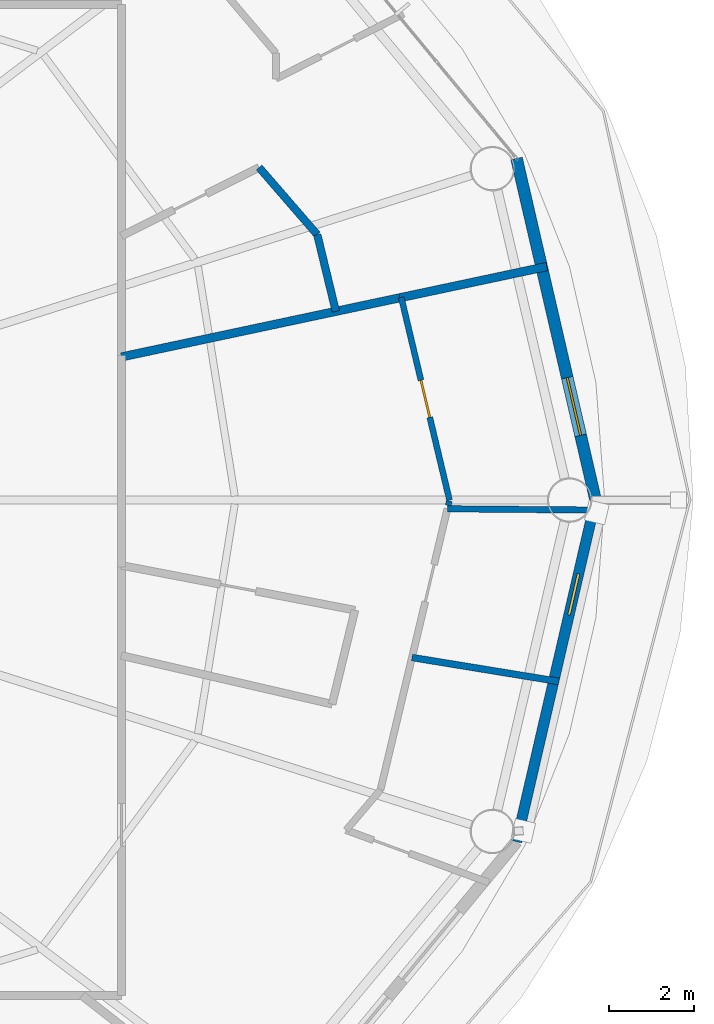
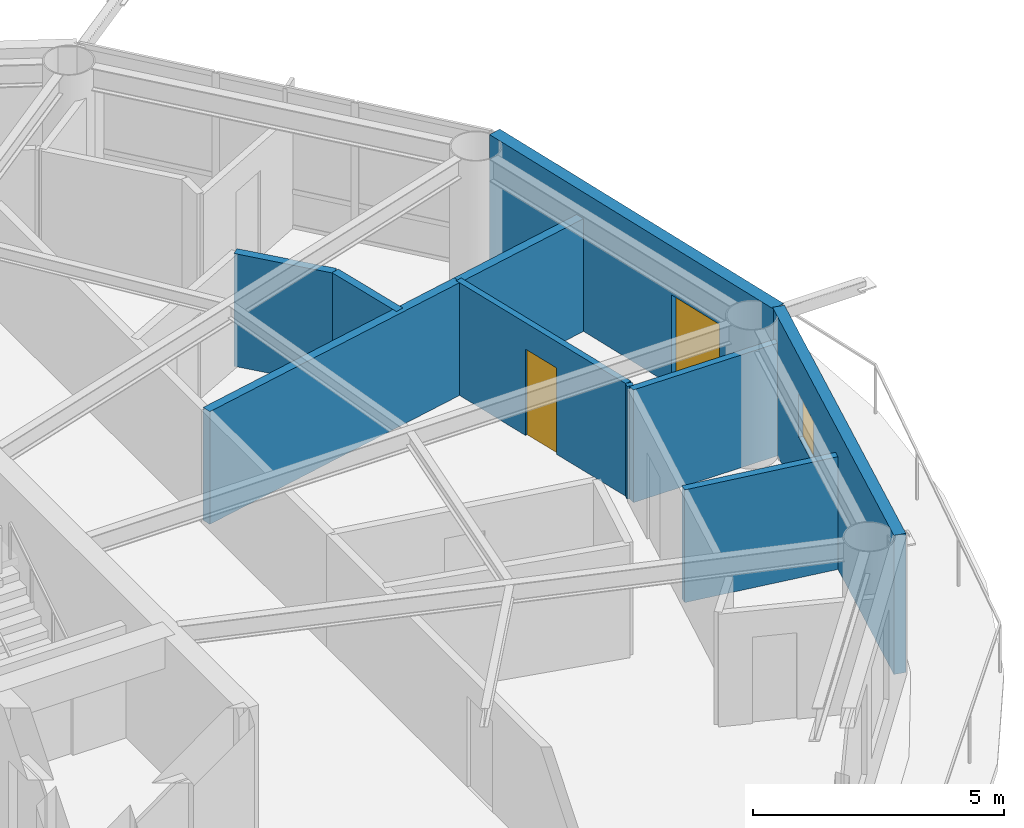
# One storey, part 23 of 29: 10 walls, 2 doors, 1 window, 3 openings.
"""IFC4 building model written with IfcOpenShell, lengths in metres."""

from ifc_helpers import new_model, si_unit, direction, frame, frame_2d, origin, place, context, subcontext, project, spatial, rectangle, extrude, material, layer, layer_set, type_object, element, fill, save


model = new_model("IFC4")

# Units and contexts
model_context = context("Model", 3, precision=1e-05, world=origin(), true_north=direction((0.0, 1.0)))
body_context = subcontext(model_context, "Body", "Model", "MODEL_VIEW")
ifc_project = project(units=[si_unit("LENGTHUNIT", "METRE"), si_unit("AREAUNIT", "SQUARE_METRE"), si_unit("VOLUMEUNIT", "CUBIC_METRE"), si_unit("PLANEANGLEUNIT", "RADIAN"), si_unit("MASSUNIT", "GRAM", prefix="KILO")], contexts=[model_context])

# Site, building, storey
site_placement = place(None, origin())
site = spatial("IfcSite", under=ifc_project, at=site_placement, CompositionType="ELEMENT")
building_placement = place(site_placement, origin())
building = spatial("IfcBuilding", under=site, at=building_placement, Name="Sarneth Arch Tower", CompositionType="ELEMENT")
storey_placement = place(building_placement, frame((0.0, 0.0, 165.0)))
storey = spatial("IfcBuildingStorey", under=building, at=storey_placement, Name="L41", CompositionType="ELEMENT", Elevation=165.0)

# Wall, opening, window
ifc_material_1 = material(Name="Extruded terracotta rainscreen on Concrete C40/50 backing", Category="masonry")
ifc_layer_1 = layer(ifc_material_1, 0.25)
ifc_layer_set_1 = layer_set([ifc_layer_1], Name="Extruded terracotta rainscreen on Concrete C40/50 backing")
wall_type_1 = type_object("IfcWallType", Name="WALL-EXT-SPAND-250", PredefinedType="SOLIDWALL", material=ifc_layer_set_1)
wall_1_placement = place(storey_placement, frame((73.232421875, 33.93310546875, 0.0), z_axis=(0.0, 0.0, 1.0), x_axis=(0.225473184558, 0.974249374157, 0.0)))
wall_1 = element("IfcWall", 1, at=wall_1_placement, inside=storey, type_object=wall_type_1, Name="L41 Terracotta perimeter wall 16", PredefinedType="SOLIDWALL", context=body_context, shape_type="SweptSolid", body=[
    extrude(rectangle(XDim=8.280029296875, YDim=0.25, at=frame_2d((4.14013671875, 0.0))), origin(), (0.0, 0.0, 1.0), 3.3798828125),
])
opening_1_placement = place(wall_1_placement, frame((5.4951171875, 0.0, 1.419921875)))
opening_1 = element("IfcOpeningElement", 2, at=opening_1_placement, cuts=wall_1, Name="Opening W-14", PredefinedType="OPENING", context=body_context, shape_type="SweptSolid", body=[
    extrude(rectangle(XDim=1.0, YDim=1.050048828125, at=frame_2d((0.5, 0.52490234375))), frame((0.0, 0.135009765625, 0.0), z_axis=(0.0, -1.0, 0.0), x_axis=(1.0, 0.0, 0.0)), (0.0, 0.0, 1.0), 0.27001953125),
])
ifc_material_2 = material(Name="Thermally broken Aluminium 6063-T6 and low-e laminated IGU", Category="aluminium")
window_type = type_object("IfcWindowType", Name="WIN-TWR-1000x1050", PartitioningType="SINGLE_PANEL", PredefinedType="WINDOW", material=ifc_material_2)
window_placement = place(opening_1_placement, origin())
window = element("IfcWindow", 3, at=window_placement, inside=storey, type_object=window_type, Name="L41 Dwelling bedroom window 06", OverallHeight=1.050048828125, OverallWidth=1.0, PartitioningType="SINGLE_PANEL", PredefinedType="WINDOW", context=body_context, shape_type="SweptSolid", body=[
    extrude(rectangle(XDim=1.0, YDim=1.050048828125, at=frame_2d((0.5, 0.52490234375))), frame((0.0, 0.030029296875, 0.0), z_axis=(0.0, -1.0, 0.0), x_axis=(1.0, 0.0, 0.0)), (0.0, 0.0, 1.0), 0.06005859375),
])
fill(opening_1, window)

# Wall, opening, door
ifc_material_3 = material(Name="Extruded terracotta rainscreen on Concrete C40/50 backing", Category="masonry")
ifc_layer_2 = layer(ifc_material_3, 0.280029296875)
ifc_layer_set_2 = layer_set([ifc_layer_2], Name="Extruded terracotta rainscreen on Concrete C40/50 backing")
wall_type_2 = type_object("IfcWallType", Name="WALL-EXT-TERRA-280", PredefinedType="SOLIDWALL", material=ifc_layer_set_2)
wall_2_placement = place(storey_placement, frame((75.099365234375, 42.0, 0.0), z_axis=(0.0, 0.0, 1.0), x_axis=(-0.225473184558, 0.974249374157, 0.0)))
wall_2 = element("IfcWall", 4, at=wall_2_placement, inside=storey, type_object=wall_type_2, Name="L41 Terracotta perimeter wall 01", PredefinedType="SOLIDWALL", context=body_context, shape_type="SweptSolid", body=[
    extrude(rectangle(XDim=8.280029296875, YDim=0.280029296875, at=frame_2d((4.14013671875, 0.0))), origin(), (0.0, 0.0, 1.0), 3.3798828125),
])
opening_2_placement = place(wall_2_placement, frame((1.568115234375, 0.0, 0.0)))
opening_2 = element("IfcOpeningElement", 5, at=opening_2_placement, cuts=wall_2, Name="Opening BD-2", PredefinedType="OPENING", context=body_context, shape_type="SweptSolid", body=[
    extrude(rectangle(XDim=1.39990234375, YDim=2.199951171875, at=frame_2d((0.699951171875, 1.10009765625))), frame((0.0, 0.14990234375, 0.0), z_axis=(0.0, -1.0, 0.0), x_axis=(1.0, 0.0, 0.0)), (0.0, 0.0, 1.0), 0.300048828125),
])
ifc_material_4 = material(Name="Thermally broken Aluminium 6063-T6 and laminated safety glass", Category="aluminium")
door_type_1 = type_object("IfcDoorType", Name="DR-BALC-GLZ-1400", OperationType="SINGLE_SWING_LEFT", PredefinedType="DOOR", material=ifc_material_4)
door_1_placement = place(opening_2_placement, origin())
door_1 = element("IfcDoor", 6, at=door_1_placement, inside=storey, type_object=door_type_1, Name="L41 Balcony glazed door 01", OperationType="SINGLE_SWING_LEFT", OverallHeight=2.199951171875, OverallWidth=1.39990234375, PredefinedType="DOOR", context=body_context, shape_type="SweptSolid", body=[
    extrude(rectangle(XDim=1.39990234375, YDim=2.199951171875, at=frame_2d((0.699951171875, 1.10009765625))), frame((0.0, 0.02490234375, 0.0), z_axis=(0.0, -1.0, 0.0), x_axis=(1.0, 0.0, 0.0)), (0.0, 0.0, 1.0), 0.050048828125),
])
fill(opening_2, door_1)

ifc_material_5 = material(Name="Apartment internal stud partition", Category="gypsum")
ifc_layer_3 = layer(ifc_material_5, 0.139892578125)
ifc_layer_set_3 = layer_set([ifc_layer_3], Name="Apartment internal stud partition")
wall_type_3 = type_object("IfcWallType", Name="WALL-PART-140", PredefinedType="PARTITIONING", material=ifc_layer_set_3)
wall_3_placement = place(storey_placement, frame((71.648681640625, 42.0, 0.0), z_axis=(0.0, 0.0, 1.0), x_axis=(-0.231622764326, 0.972805682059, 0.0)))
wall_3 = element("IfcWall", 7, at=wall_3_placement, inside=storey, type_object=wall_type_3, Name="L41 Interior partition W-L41-TP-117", PredefinedType="PARTITIONING", context=body_context, shape_type="SweptSolid", body=[
    extrude(rectangle(XDim=4.918212890625, YDim=0.139892578125, at=frame_2d((2.458984375, 0.0))), origin(), (0.0, 0.0, 1.0), 2.739990234375),
])
opening_3_placement = place(wall_3_placement, frame((2.009033203125, 0.0, 0.0)))
opening_3 = element("IfcOpeningElement", 8, at=opening_3_placement, cuts=wall_3, Name="Opening ID-01", PredefinedType="OPENING", context=body_context, shape_type="SweptSolid", body=[
    extrude(rectangle(XDim=0.89990234375, YDim=2.10009765625, at=frame_2d((0.449951171875, 1.050048828125))), frame((0.0, 0.079833984375, 0.0), z_axis=(0.0, -1.0, 0.0), x_axis=(1.0, 0.0, 0.0)), (0.0, 0.0, 1.0), 0.159912109375),
])
ifc_material_6 = material(Name="Engineered hardwood flush door", Category="wood")
door_type_2 = type_object("IfcDoorType", Name="DR-INT-900", OperationType="SINGLE_SWING_LEFT", PredefinedType="DOOR", material=ifc_material_6)
door_2_placement = place(opening_3_placement, origin())
door_2 = element("IfcDoor", 9, at=door_2_placement, inside=storey, type_object=door_type_2, Name="L41 Interior door DR-L41-U8-BED2", OperationType="SINGLE_SWING_RIGHT", OverallHeight=2.10009765625, OverallWidth=0.89990234375, PredefinedType="DOOR", context=body_context, shape_type="SweptSolid", body=[
    extrude(rectangle(XDim=0.89990234375, YDim=2.10009765625, at=frame_2d((0.449951171875, 1.050048828125))), frame((0.0, 0.02490234375, 0.0), z_axis=(0.0, -1.0, 0.0), x_axis=(1.0, 0.0, 0.0)), (0.0, 0.0, 1.0), 0.050048828125),
])
fill(opening_3, door_2)

# Walls
wall_4_placement = place(storey_placement, frame((71.6181640625, 41.871826171875, 0.0), z_axis=(0.0, 0.0, 1.0), x_axis=(0.233786115402, 0.972288050037, 0.0)))
element("IfcWall", 10, at=wall_4_placement, inside=storey, type_object=wall_type_3, Name="L41 Interior partition W-L41-TP-116", PredefinedType="PARTITIONING", context=body_context, shape_type="SweptSolid", body=[
    extrude(rectangle(XDim=0.11181640625, YDim=0.139892578125, at=frame_2d((0.055908203125, 0.0))), origin(), (0.0, 0.0, 1.0), 2.739990234375),
])
ifc_material_7 = material(Name="Acoustic gypsum stud partition", Category="gypsum")
ifc_layer_4 = layer(ifc_material_7, 0.14990234375)
ifc_layer_set_4 = layer_set([ifc_layer_4], Name="Acoustic gypsum stud partition")
wall_type_4 = type_object("IfcWallType", Name="WALL-PART-150", PredefinedType="PARTITIONING", material=ifc_layer_set_4)
wall_5_placement = place(storey_placement, frame((75.164794921875, 41.762939453125, 0.0), z_axis=(0.0, 0.0, 1.0), x_axis=(-0.999962184605, 0.00869651424, 0.0)))
element("IfcWall", 11, at=wall_5_placement, inside=storey, type_object=wall_type_4, Name="L41 Interior partition W-L41-TP-119", PredefinedType="PARTITIONING", context=body_context, shape_type="SweptSolid", body=[
    extrude(rectangle(XDim=3.5654296875, YDim=0.14990234375, at=frame_2d((1.78271484375, 0.0))), origin(), (0.0, 0.0, 1.0), 2.739990234375),
])
ifc_material_8 = material(Name="Kitchen wet service chase wall", Category="gypsum")
ifc_layer_5 = layer(ifc_material_8, 0.159912109375)
ifc_layer_set_5 = layer_set([ifc_layer_5], Name="Kitchen wet service chase wall")
wall_type_5 = type_object("IfcWallType", Name="WALL-PLUMB-160", PredefinedType="PLUMBINGWALL", material=ifc_layer_set_5)
wall_6_placement = place(storey_placement, frame((74.230712890625, 37.715576171875, 0.0), z_axis=(0.0, 0.0, 1.0), x_axis=(-0.986918442879, 0.161220306117, 0.0)))
element("IfcWall", 12, at=wall_6_placement, inside=storey, type_object=wall_type_5, Name="L41 Interior partition W-L41-TP-118", PredefinedType="PLUMBINGWALL", context=body_context, shape_type="SweptSolid", body=[
    extrude(rectangle(XDim=3.51318359375, YDim=0.159912109375, at=frame_2d((1.756591796875, 0.0))), origin(), (0.0, 0.0, 1.0), 2.739990234375),
])
ifc_material_9 = material(Name="Moisture-resistant plumbing chase wall", Category="gypsum")
ifc_layer_6 = layer(ifc_material_9, 0.179931640625)
ifc_layer_set_6 = layer_set([ifc_layer_6], Name="Moisture-resistant plumbing chase wall")
wall_type_6 = type_object("IfcWallType", Name="WALL-PLUMB-180", PredefinedType="PLUMBINGWALL", material=ifc_layer_set_6)
wall_7_placement = place(storey_placement, frame((68.526123046875, 48.268310546875, 0.0), z_axis=(0.0, 0.0, 1.0), x_axis=(-0.654594060889, 0.755980565524, 0.0)))
element("IfcWall", 13, at=wall_7_placement, inside=storey, type_object=wall_type_6, Name="L41 Interior partition W-L41-TP-027", PredefinedType="PLUMBINGWALL", context=body_context, shape_type="SweptSolid", body=[
    extrude(rectangle(XDim=2.099853515625, YDim=0.179931640625, at=frame_2d((1.0498046875, 0.0))), origin(), (0.0, 0.0, 1.0), 2.739990234375),
])
wall_8_placement = place(storey_placement, frame((68.965087890625, 46.456298828125, 0.0), z_axis=(0.0, 0.0, 1.0), x_axis=(-0.235442613623, 0.971888252676, 0.0)))
element("IfcWall", 14, at=wall_8_placement, inside=storey, type_object=wall_type_6, Name="L41 Interior partition W-L41-TP-026", PredefinedType="PLUMBINGWALL", context=body_context, shape_type="SweptSolid", body=[
    extrude(rectangle(XDim=1.864501953125, YDim=0.179931640625, at=frame_2d((0.93212890625, 0.0))), origin(), (0.0, 0.0, 1.0), 2.739990234375),
])
ifc_material_10 = material(Name="Double steel-stud acoustic drywall", Category="steel")
ifc_layer_7 = layer(ifc_material_10, 0.199951171875)
ifc_layer_set_7 = layer_set([ifc_layer_7], Name="Double steel-stud acoustic drywall")
wall_type_7 = type_object("IfcWallType", Name="WALL-UNIT-200", PredefinedType="PARTITIONING", material=ifc_layer_set_7)
wall_9_placement = place(storey_placement, frame((63.89990234375, 45.379638671875, 0.0), z_axis=(0.0, 0.0, 1.0), x_axis=(0.978145779981, 0.207920256603, 0.0)))
element("IfcWall", 15, at=wall_9_placement, inside=storey, type_object=wall_type_7, Name="L41 Interior partition W-L41-TP-038", PredefinedType="PARTITIONING", context=body_context, shape_type="SweptSolid", body=[
    extrude(rectangle(XDim=6.789306640625, YDim=0.199951171875, at=frame_2d((3.39453125, 0.0))), origin(), (0.0, 0.0, 1.0), 2.739990234375),
])
wall_10_placement = place(storey_placement, frame((73.946044921875, 47.51513671875, 0.0), z_axis=(0.0, 0.0, 1.0), x_axis=(-0.978135742848, -0.207967469966, 0.0)))
element("IfcWall", 16, at=wall_10_placement, inside=storey, type_object=wall_type_7, Name="L41 Interior partition W-L41-TP-036", PredefinedType="PARTITIONING", context=body_context, shape_type="SweptSolid", body=[
    extrude(rectangle(XDim=3.54541015625, YDim=0.199951171875, at=frame_2d((1.772705078125, 0.0))), origin(), (0.0, 0.0, 1.0), 2.739990234375),
])

save(model, "model.ifc")
